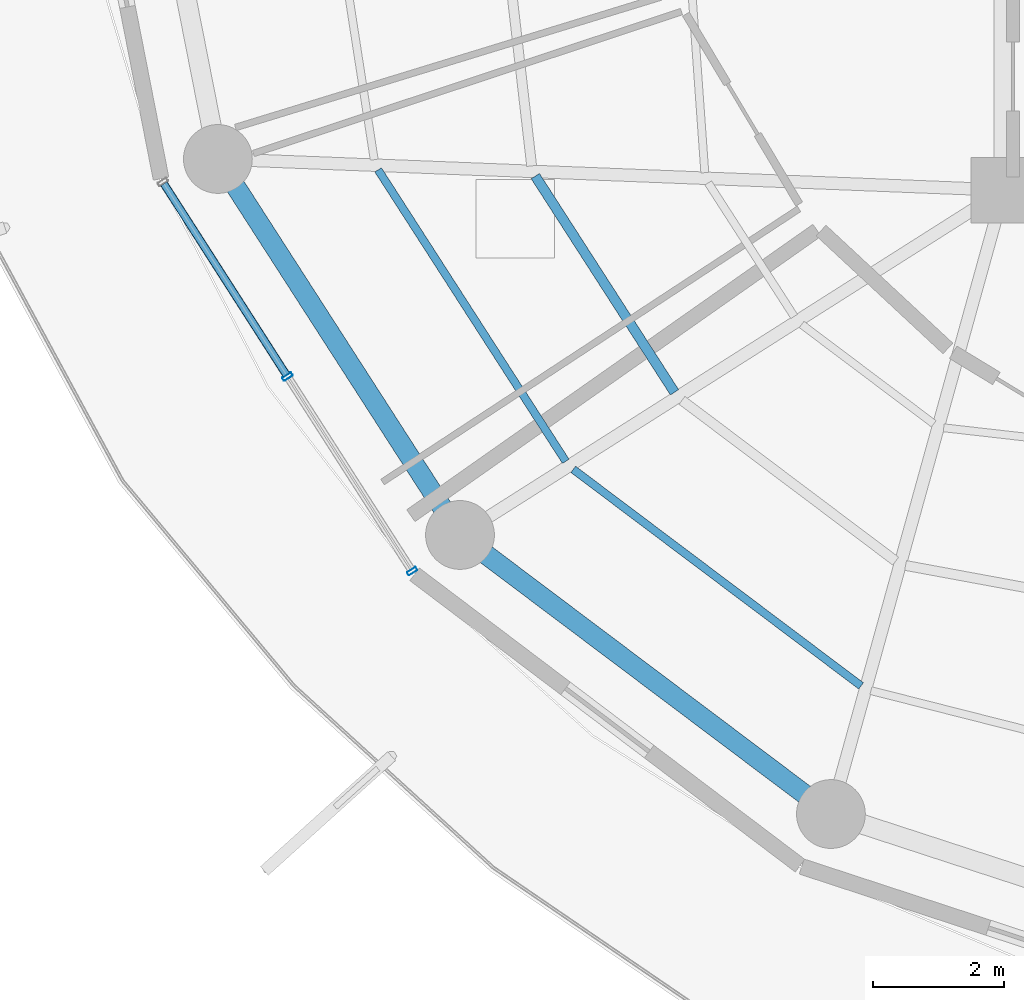
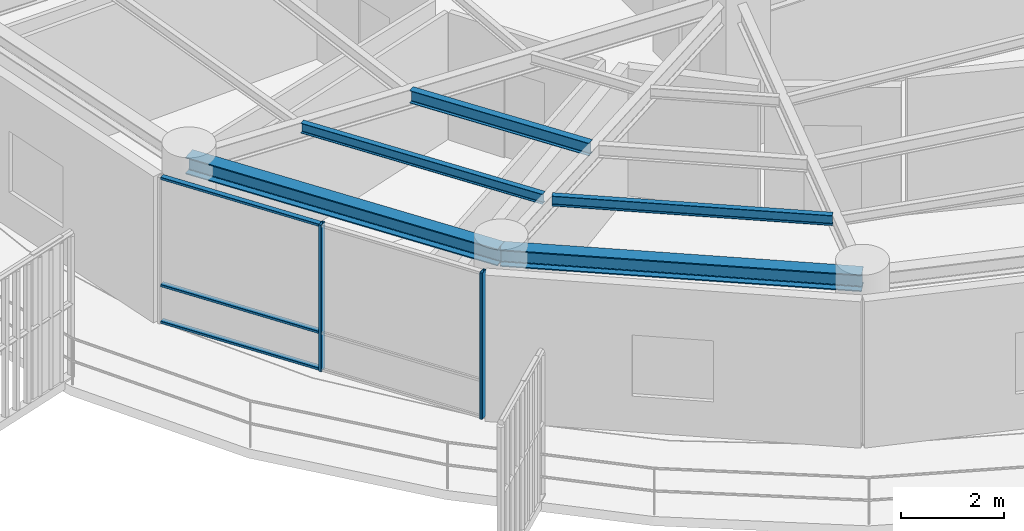
# One storey, part 2 of 31: 5 beams, 5 members, 1 element without a shape of its own.
"""IFC4 building model written with IfcOpenShell, lengths in metres."""

import ifcopenshell
import ifcopenshell.guid

model = None  # the IFC model being written
_history = None  # IfcOwnerHistory: only IFC2X3 demands one
_inside = {}  # id of a spatial element -> (the spatial element, [elements in it])
_under = {}  # id of a project, library or spatial element -> (it, [spatial elements below it])
_declared = {}  # id of a project -> (the project, [libraries it declares])
_typed = {}  # id of a type object -> (the type object, [elements of that type])
_made_of = {}  # id of a material, layer set ... -> (it, [elements and type objects made of it])


def new_model(schema):
    """Start an empty IFC model of exactly this schema.

    Asked for "IFC4X3", IfcOpenShell would pick the latest addendum, in which some entities
    have other attributes; the version numbers below select the first issue.
    IFC2X3 requires an IfcOwnerHistory on every rooted entity: one is made here for all.
    """
    global model, _history
    if schema == "IFC4X3":
        model = ifcopenshell.file(schema_version=(4, 3, 0, 0))
    else:
        model = ifcopenshell.file(schema=schema)
    _inside.clear()
    _under.clear()
    _declared.clear()
    _typed.clear()
    _made_of.clear()
    _history = None
    if model.schema == "IFC2X3":
        org = make("IfcOrganization", Name="unknown")
        user = make(
            "IfcPersonAndOrganization",
            ThePerson=make("IfcPerson", FamilyName="unknown"),
            TheOrganization=org,
        )
        app = make(
            "IfcApplication",
            ApplicationDeveloper=org,
            Version="unknown",
            ApplicationFullName="unknown",
            ApplicationIdentifier="unknown",
        )
        _history = make(
            "IfcOwnerHistory",
            OwningUser=user,
            OwningApplication=app,
            ChangeAction="ADDED",
            CreationDate=0,
        )
    return model


def make(cls, **values):
    """One entity of the class cls with the attributes given. An attribute that is None is left unset."""
    return model.create_entity(
        cls, **{name: value for name, value in values.items() if value is not None}
    )


def rooted(cls, **values):
    """An entity with a GlobalId (a new one), such as an element, a storey or a relation."""
    return make(cls, GlobalId=ifcopenshell.guid.new(), OwnerHistory=_history, **values)


def si_unit(unit_type, name, prefix=None):
    """IfcSIUnit, for example si_unit("LENGTHUNIT", "METRE", prefix="MILLI")."""
    return make("IfcSIUnit", UnitType=unit_type, Prefix=prefix, Name=name)


def assignment(units):
    """IfcUnitAssignment: the units of a project."""
    return None if units is None else make("IfcUnitAssignment", Units=units)


def point(xyz):
    """IfcCartesianPoint."""
    return None if xyz is None else make("IfcCartesianPoint", Coordinates=xyz)


def direction(xyz):
    """IfcDirection."""
    return None if xyz is None else make("IfcDirection", DirectionRatios=xyz)


def frame(location, z_axis=None, x_axis=None):
    """IfcAxis2Placement3D, a coordinate frame: its origin and axes. An axis left out is left unset."""
    return make(
        "IfcAxis2Placement3D",
        Location=point(location),
        Axis=direction(z_axis),
        RefDirection=direction(x_axis),
    )


def frame_2d(location, x_axis=None):
    """IfcAxis2Placement2D, a coordinate frame in the plane: its origin and x axis."""
    return make(
        "IfcAxis2Placement2D", Location=point(location), RefDirection=direction(x_axis)
    )


def origin():
    """The frame at (0, 0, 0) with its axes left unset."""
    return frame((0.0, 0.0, 0.0))


def origin_2d():
    """The frame at (0, 0) in the plane with its x axis left unset."""
    return frame_2d((0.0, 0.0))


def place(relative_to, where):
    """IfcLocalPlacement: puts the frame where relative to a parent placement (None: the world)."""
    return make(
        "IfcLocalPlacement", PlacementRelTo=relative_to, RelativePlacement=where
    )


def context(
    kind, dimensions, precision=None, world=None, true_north=None, identifier=None
):
    """IfcGeometricRepresentationContext, for example the 3D "Model" context."""
    return make(
        "IfcGeometricRepresentationContext",
        ContextIdentifier=identifier,
        ContextType=kind,
        CoordinateSpaceDimension=dimensions,
        Precision=precision,
        WorldCoordinateSystem=world,
        TrueNorth=true_north,
    )


def subcontext(parent, identifier, kind, view, scale=None):
    """IfcGeometricRepresentationSubContext, for example "Body" below "Model"."""
    return make(
        "IfcGeometricRepresentationSubContext",
        ContextIdentifier=identifier,
        ContextType=kind,
        ParentContext=parent,
        TargetScale=scale,
        TargetView=view,
    )


def project(units=None, contexts=None):
    """IfcProject with its units and contexts."""
    return rooted(
        "IfcProject",
        Name="project",
        RepresentationContexts=contexts,
        UnitsInContext=assignment(units),
    )


def spatial(cls, under=None, at=None, **own):
    """A site, building, storey or space (cls), placed at a placement, below another one or the project."""
    s = rooted(cls, ObjectPlacement=at, **own)
    if under is not None:
        _under.setdefault(under.id(), (under, []))[1].append(s)
    return s


def profile(cls, at=None, kind="AREA", **sizes):
    """A parametric profile (cls). Its sizes go by their IFC names, for example OverallWidth=200.0."""
    return make(cls, ProfileType=kind, Position=at, **sizes)


def hollow_rectangle(**sizes):
    """IfcRectangleHollowProfileDef."""
    return profile("IfcRectangleHollowProfileDef", **sizes)


def i_section(**sizes):
    """IfcIShapeProfileDef."""
    return profile("IfcIShapeProfileDef", **sizes)


def extrude(swept, where, along, depth):
    """IfcExtrudedAreaSolid: the profile swept, set in the frame where, extruded along a direction by depth."""
    return make(
        "IfcExtrudedAreaSolid",
        SweptArea=swept,
        Position=where,
        ExtrudedDirection=direction(along),
        Depth=depth,
    )


def shape(context_of_items, identifier, shape_type, items):
    """IfcShapeRepresentation: the items that make up one representation, for example the "Body"."""
    return make(
        "IfcShapeRepresentation",
        ContextOfItems=context_of_items,
        RepresentationIdentifier=identifier,
        RepresentationType=shape_type,
        Items=items,
    )


def material(Name=None, Category=None):
    """IfcMaterial."""
    return make("IfcMaterial", Name=Name, Category=Category)


def layer(
    of_material, thickness, ventilated=None, Name=None, Category=None, Priority=None
):
    """IfcMaterialLayer: one layer of a wall or slab, of a material (None: an air gap)."""
    return make(
        "IfcMaterialLayer",
        Material=of_material,
        LayerThickness=thickness,
        IsVentilated=ventilated,
        Name=Name,
        Category=Category,
        Priority=Priority,
    )


def layer_set(layers, Name=None):
    """IfcMaterialLayerSet."""
    return make("IfcMaterialLayerSet", MaterialLayers=layers, LayerSetName=Name)


def material_profile(
    of_material, cross_section, Name=None, Category=None, Priority=None
):
    """IfcMaterialProfile: a cross section and its material."""
    return make(
        "IfcMaterialProfile",
        Name=Name,
        Material=of_material,
        Profile=cross_section,
        Priority=Priority,
        Category=Category,
    )


def profile_set(profiles, Name=None, composite=None):
    """IfcMaterialProfileSet."""
    return make(
        "IfcMaterialProfileSet",
        Name=Name,
        MaterialProfiles=profiles,
        CompositeProfile=composite,
    )


def made_of(thing, what):
    """Note that an element or type object is made of a material, layer set ...; save() writes the relation."""
    if what is not None:
        _made_of.setdefault(what.id(), (what, []))[1].append(thing)
    return thing


def type_object(cls, material=None, **own):
    """A type object (cls), such as IfcWallType, which elements share."""
    return made_of(rooted(cls, **own), material)


def element(
    cls,
    number,
    at=None,
    inside=None,
    cuts=None,
    type_object=None,
    material=None,
    context=None,
    identifier="Body",
    shape_type=None,
    held_by="IfcProductDefinitionShape",
    body=None,
    shapes=None,
    **own,
):
    """One element of the class cls, such as IfcWall. Its Tag is "e" and its number.

    at: its placement. inside: the storey or other place that contains it. cuts: it is an
    opening in that element (IfcRelVoidsElement). A single representation is given by context,
    identifier, shape_type and body (its items); several are given by shapes. held_by: the class
    of the entity that holds the representations. save() writes the other relations.
    """
    e = rooted(cls, Tag="e%d" % number, ObjectPlacement=at, **own)
    if body is not None:
        shapes = [shape(context, identifier, shape_type, body)]
    if shapes is not None:
        e.Representation = make(held_by, Representations=shapes)
    if inside is not None:
        _inside.setdefault(inside.id(), (inside, []))[1].append(e)
    if cuts is not None:
        rooted(
            "IfcRelVoidsElement", RelatingBuildingElement=cuts, RelatedOpeningElement=e
        )
    if type_object is not None:
        _typed.setdefault(type_object.id(), (type_object, []))[1].append(e)
    return made_of(e, material)


def aggregate(whole, parts):
    """IfcRelAggregates: a whole, such as a stair, and the parts it consists of."""
    return rooted("IfcRelAggregates", RelatingObject=whole, RelatedObjects=parts)


def save(model, path):
    """Write the relations noted so far, then the file.

    IfcRelAggregates (storeys below a building ...), IfcRelContainedInSpatialStructure (elements
    in a storey), IfcRelDefinesByType, IfcRelAssociatesMaterial and IfcRelDeclares: one each for
    every whole, place, type object, material and project.
    """
    for whole, parts in _under.values():
        aggregate(whole, parts)
    for where, things in _inside.values():
        rooted(
            "IfcRelContainedInSpatialStructure",
            RelatedElements=things,
            RelatingStructure=where,
        )
    for kind, things in _typed.values():
        rooted("IfcRelDefinesByType", RelatedObjects=things, RelatingType=kind)
    for what, things in _made_of.values():
        rooted("IfcRelAssociatesMaterial", RelatedObjects=things, RelatingMaterial=what)
    for by, libraries in _declared.values():
        rooted("IfcRelDeclares", RelatingContext=by, RelatedDefinitions=libraries)
    model.write(path)


model = new_model("IFC4")

# Units and contexts
model_context = context("Model", 3, precision=1e-05, world=origin(), true_north=direction((0.0, 1.0)))
body_context = subcontext(model_context, "Body", "Model", "MODEL_VIEW")
ifc_project = project(units=[si_unit("LENGTHUNIT", "METRE"), si_unit("AREAUNIT", "SQUARE_METRE"), si_unit("VOLUMEUNIT", "CUBIC_METRE"), si_unit("PLANEANGLEUNIT", "RADIAN"), si_unit("MASSUNIT", "GRAM", prefix="KILO")], contexts=[model_context])

# Site, building, storey
site_placement = place(None, origin())
site = spatial("IfcSite", under=ifc_project, at=site_placement, CompositionType="ELEMENT")
building_placement = place(site_placement, origin())
building = spatial("IfcBuilding", under=site, at=building_placement, Name="Kelanora Arch Commons", CompositionType="ELEMENT")
storey_placement = place(building_placement, frame((0.0, 0.0, 226.949951171875)))
storey = spatial("IfcBuildingStorey", under=building, at=storey_placement, Name="L58", CompositionType="ELEMENT", Elevation=226.949951171875)

# Beams
ifc_material_1 = material(Name="Steel S355", Category="steel")
ifc_material_profile_1 = material_profile(ifc_material_1, i_section(OverallWidth=0.14990234375, OverallDepth=0.300048828125, WebThickness=0.007080078125, FlangeThickness=0.0107421875, FilletRadius=0.014892578125, at=origin_2d()), Name="IPE300")
ifc_profile_set_1 = profile_set([ifc_material_profile_1], Name="Steel S355")
beam_type_1 = type_object("IfcBeamType", Name="BM-JST-01", PredefinedType="JOIST", material=ifc_profile_set_1)
beam_1_placement = place(storey_placement, frame((58.847900390625, 51.213134765625, 3.340087890625), z_axis=(0.541411265892, -0.840757896879, 0.0), x_axis=(0.840757896879, 0.541411265892, 0.0)))
element("IfcBeam", 1, at=beam_1_placement, inside=storey, type_object=beam_type_1, Name="Secondary Chord Joist BJB-20 L58", PredefinedType="JOIST", context=body_context, shape_type="SweptSolid", body=[
    extrude(i_section(OverallWidth=0.14990234375, OverallDepth=0.300048828125, WebThickness=0.007080078125, FlangeThickness=0.0107421875, FilletRadius=0.014892578125, at=origin_2d()), origin(), (0.0, 0.0, 1.0), 3.92529296875),
])
ifc_material_profile_2 = material_profile(ifc_material_1, i_section(OverallWidth=0.1201171875, OverallDepth=0.239990234375, WebThickness=0.006103515625, FlangeThickness=0.009765625, FilletRadius=0.014892578125, at=origin_2d()), Name="IPE240")
ifc_profile_set_2 = profile_set([ifc_material_profile_2], Name="Steel S355")
beam_type_2 = type_object("IfcBeamType", Name="BM-JST-02", PredefinedType="JOIST", material=ifc_profile_set_2)
beam_2_placement = place(storey_placement, frame((56.44873046875, 51.30810546875, 3.3701171875), z_axis=(0.541382492679, -0.840776424872, 0.0), x_axis=(0.840776424872, 0.541382492679, 0.0)))
element("IfcBeam", 2, at=beam_2_placement, inside=storey, type_object=beam_type_2, Name="Secondary Chord Joist BJC-20 L58", PredefinedType="JOIST", context=body_context, shape_type="SweptSolid", body=[
    extrude(i_section(OverallWidth=0.1201171875, OverallDepth=0.239990234375, WebThickness=0.006103515625, FlangeThickness=0.009765625, FilletRadius=0.014892578125, at=origin_2d()), origin(), (0.0, 0.0, 1.0), 5.29052734375),
])
beam_3_placement = place(storey_placement, frame((59.4267578125, 46.7373046875, 3.3701171875), z_axis=(0.799109197935, -0.601185902842, 0.0), x_axis=(0.601185902842, 0.799109197935, 0.0)))
element("IfcBeam", 3, at=beam_3_placement, inside=storey, type_object=beam_type_2, Name="Secondary Chord Joist BJC-22 L58", PredefinedType="JOIST", context=body_context, shape_type="SweptSolid", body=[
    extrude(i_section(OverallWidth=0.1201171875, OverallDepth=0.239990234375, WebThickness=0.006103515625, FlangeThickness=0.009765625, FilletRadius=0.014892578125, at=origin_2d()), origin(), (0.0, 0.0, 1.0), 5.497802734375),
])
ifc_material_profile_3 = material_profile(ifc_material_1, i_section(OverallWidth=0.300048828125, OverallDepth=0.39990234375, WebThickness=0.013427734375, FlangeThickness=0.02392578125, FilletRadius=0.027099609375, at=origin_2d()), Name="HEB400")
ifc_profile_set_3 = profile_set([ifc_material_profile_3], Name="Steel S355")
beam_type_3 = type_object("IfcBeamType", Name="BM-SPN-Z4", PredefinedType="SPANDREL", material=ifc_profile_set_3)
beam_4_placement = place(storey_placement, frame((54.00341796875, 51.474365234375, 3.2900390625), z_axis=(0.541364878868, -0.840787766281, 0.0), x_axis=(0.840787766281, 0.541364878868, 0.0)))
element("IfcBeam", 4, at=beam_4_placement, inside=storey, type_object=beam_type_3, Name="Perimeter Spandrel Beam BS-20 L58", PredefinedType="SPANDREL", context=body_context, shape_type="SweptSolid", body=[
    extrude(i_section(OverallWidth=0.300048828125, OverallDepth=0.39990234375, WebThickness=0.013427734375, FlangeThickness=0.02392578125, FilletRadius=0.027099609375, at=origin_2d()), origin(), (0.0, 0.0, 1.0), 6.825439453125),
])
beam_5_placement = place(storey_placement, frame((57.698486328125, 45.735595703125, 3.2900390625), z_axis=(0.799114211715, -0.60117923836, 0.0), x_axis=(0.60117923836, 0.799114211715, 0.0)))
element("IfcBeam", 5, at=beam_5_placement, inside=storey, type_object=beam_type_3, Name="Perimeter Spandrel Beam BS-22 L58", PredefinedType="SPANDREL", context=body_context, shape_type="SweptSolid", body=[
    extrude(i_section(OverallWidth=0.300048828125, OverallDepth=0.39990234375, WebThickness=0.013427734375, FlangeThickness=0.02392578125, FilletRadius=0.027099609375, at=origin_2d()), origin(), (0.0, 0.0, 1.0), 7.0849609375),
])

# Curtain wall, members
ifc_material_2 = material(Name="Terracotta ceramic-fritted low-E glass and aluminium", Category="masonry")
ifc_layer = layer(ifc_material_2, 0.175048828125)
ifc_layer_set = layer_set([ifc_layer], Name="Terracotta ceramic-fritted low-E glass and aluminium")
curtain_wall_type = type_object("IfcCurtainWallType", Name="CW-SYS-02", PredefinedType="NOTDEFINED", material=ifc_layer_set)
curtain_wall_placement = place(storey_placement, origin())
curtain_wall = element("IfcCurtainWall", 6, at=curtain_wall_placement, inside=storey, type_object=curtain_wall_type, Name="Unitised Curtain Wall L58-B10", PredefinedType="NOTDEFINED")
ifc_material_3 = material(Name="Powder-coated aluminium terracotta", Category="masonry")
ifc_material_profile_4 = material_profile(ifc_material_3, hollow_rectangle(XDim=0.159912109375, YDim=0.06005859375, WallThickness=0.0048828125, InnerFilletRadius=0.0048828125, OuterFilletRadius=0.010009765625, at=origin_2d()), Name="CWM160x60")
ifc_profile_set_4 = profile_set([ifc_material_profile_4], Name="Powder-coated aluminium terracotta")
member_type_1 = type_object("IfcMemberType", Name="CWM-STD", PredefinedType="MULLION", material=ifc_profile_set_4)
member_1_placement = place(storey_placement, frame((55.06640625, 48.15185546875, 0.0), z_axis=(0.0, 0.0, 1.0), x_axis=(0.84194757539, 0.539559338994, 0.0)))
member_1 = element("IfcMember", 7, at=member_1_placement, type_object=member_type_1, Name="CW-02 mullion 2", PredefinedType="MULLION", context=body_context, shape_type="SweptSolid", body=[
    extrude(hollow_rectangle(XDim=0.159912109375, YDim=0.06005859375, WallThickness=0.0048828125, InnerFilletRadius=0.0048828125, OuterFilletRadius=0.010009765625, at=origin_2d()), origin(), (0.0, 0.0, 1.0), 3.47509765625),
])
member_2_placement = place(storey_placement, frame((56.969482421875, 45.18212890625, 0.0), z_axis=(0.0, 0.0, 1.0), x_axis=(0.84194757539, 0.539559338994, 0.0)))
member_2 = element("IfcMember", 8, at=member_2_placement, type_object=member_type_1, Name="CW-02 mullion 3", PredefinedType="MULLION", context=body_context, shape_type="SweptSolid", body=[
    extrude(hollow_rectangle(XDim=0.159912109375, YDim=0.06005859375, WallThickness=0.0048828125, InnerFilletRadius=0.0048828125, OuterFilletRadius=0.010009765625, at=origin_2d()), origin(), (0.0, 0.0, 1.0), 3.47509765625),
])
ifc_material_profile_5 = material_profile(ifc_material_3, hollow_rectangle(XDim=0.1201171875, YDim=0.06005859375, WallThickness=0.0048828125, InnerFilletRadius=0.0048828125, OuterFilletRadius=0.010009765625, at=origin_2d()), Name="CWT120x60")
ifc_profile_set_5 = profile_set([ifc_material_profile_5], Name="Powder-coated aluminium terracotta")
member_type_2 = type_object("IfcMemberType", Name="CWT-STD", PredefinedType="USERDEFINED", material=ifc_profile_set_5)
member_3_placement = place(storey_placement, frame((53.17919921875, 51.096435546875, 0.030029296875), z_axis=(0.539579095642, -0.84193491408, 0.0), x_axis=(0.84193491408, 0.539579095642, 0.0)))
member_3 = element("IfcMember", 9, at=member_3_placement, type_object=member_type_2, Name="CW-02 transom 1.1", ObjectType="TRANSOM", PredefinedType="USERDEFINED", context=body_context, shape_type="SweptSolid", body=[
    extrude(hollow_rectangle(XDim=0.1201171875, YDim=0.06005859375, WallThickness=0.0048828125, InnerFilletRadius=0.0048828125, OuterFilletRadius=0.010009765625, at=origin_2d()), origin(), (0.0, 0.0, 1.0), 3.46728515625),
])
member_4_placement = place(storey_placement, frame((53.17919921875, 51.096435546875, 0.900146484375), z_axis=(0.539579095642, -0.84193491408, 0.0), x_axis=(0.84193491408, 0.539579095642, 0.0)))
member_4 = element("IfcMember", 10, at=member_4_placement, type_object=member_type_2, Name="CW-02 transom 1.2", ObjectType="TRANSOM", PredefinedType="USERDEFINED", context=body_context, shape_type="SweptSolid", body=[
    extrude(hollow_rectangle(XDim=0.1201171875, YDim=0.06005859375, WallThickness=0.0048828125, InnerFilletRadius=0.0048828125, OuterFilletRadius=0.010009765625, at=origin_2d()), origin(), (0.0, 0.0, 1.0), 3.46728515625),
])
member_5_placement = place(storey_placement, frame((53.17919921875, 51.096435546875, 3.445068359375), z_axis=(0.539579095642, -0.84193491408, 0.0), x_axis=(0.84193491408, 0.539579095642, 0.0)))
member_5 = element("IfcMember", 11, at=member_5_placement, type_object=member_type_2, Name="CW-02 transom 1.3", ObjectType="TRANSOM", PredefinedType="USERDEFINED", context=body_context, shape_type="SweptSolid", body=[
    extrude(hollow_rectangle(XDim=0.1201171875, YDim=0.06005859375, WallThickness=0.0048828125, InnerFilletRadius=0.0048828125, OuterFilletRadius=0.010009765625, at=origin_2d()), origin(), (0.0, 0.0, 1.0), 3.46728515625),
])
aggregate(curtain_wall, [member_1, member_2, member_3, member_4, member_5])

save(model, "model.ifc")
